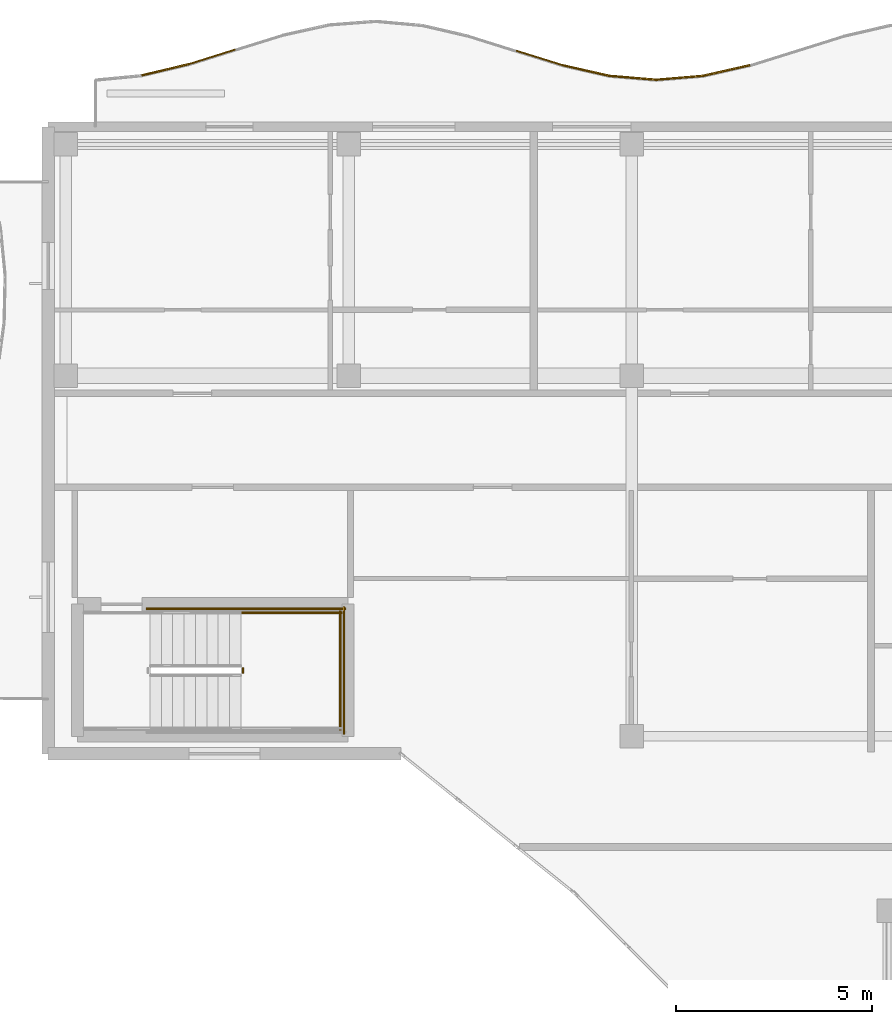
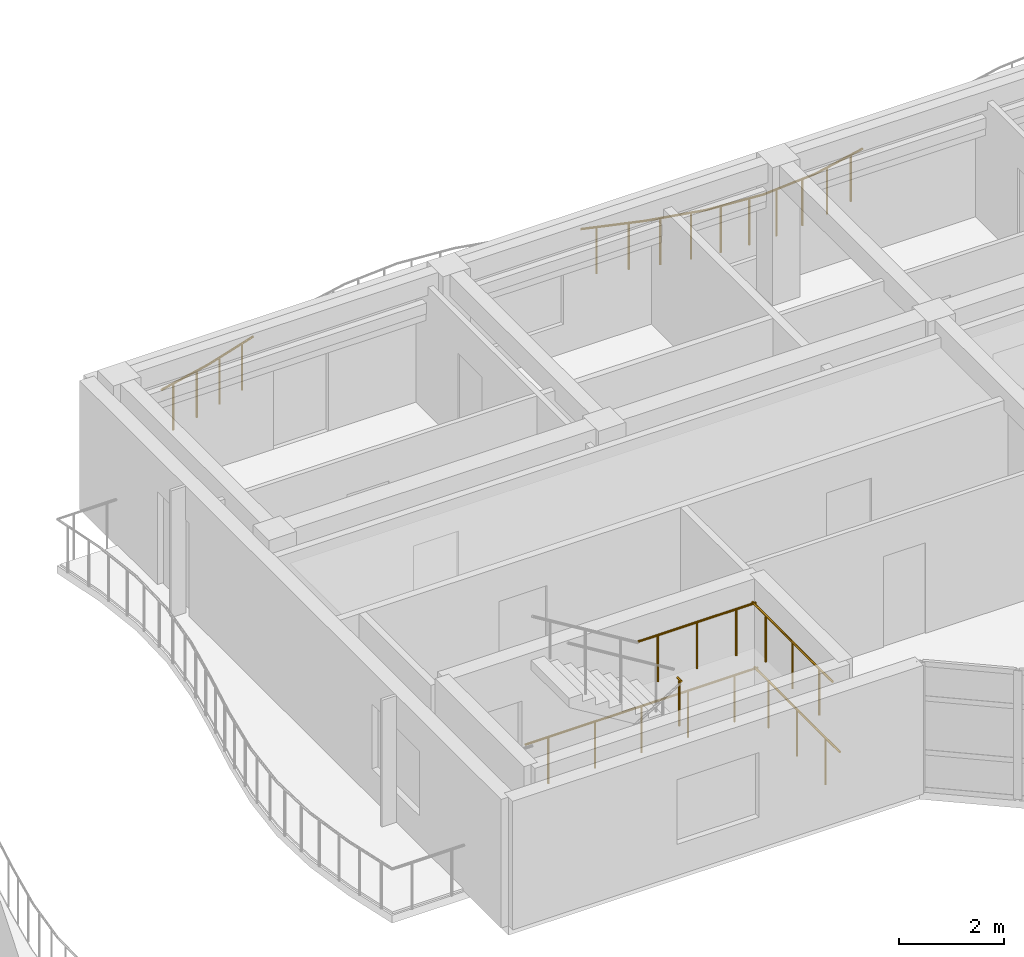
# One storey, part 74 of 76: 12 railings.
"""IFC4 building model written with IfcOpenShell, lengths in metres."""

from ifc_helpers import new_model, si_unit, direction, frame, origin, origin_2d, place, context, subcontext, project, spatial, circle, extrude, material, type_object, element, save


model = new_model("IFC4")

# Units and contexts
model_context = context("Model", 3, precision=1e-05, world=origin(), true_north=direction((0.0, 1.0)))
body_context = subcontext(model_context, "Body", "Model", "MODEL_VIEW")
ifc_project = project(units=[si_unit("LENGTHUNIT", "METRE"), si_unit("AREAUNIT", "SQUARE_METRE"), si_unit("VOLUMEUNIT", "CUBIC_METRE"), si_unit("PLANEANGLEUNIT", "RADIAN"), si_unit("MASSUNIT", "GRAM", prefix="KILO")], contexts=[model_context])

# Site, building, storey
site_placement = place(None, origin())
site = spatial("IfcSite", under=ifc_project, at=site_placement, CompositionType="ELEMENT")
building_placement = place(site_placement, origin())
building = spatial("IfcBuilding", under=site, at=building_placement, Name="Keldmere Railside Commons", CompositionType="ELEMENT")
storey_placement = place(building_placement, frame((0.0, 0.0, 13.760009765625)))
storey = spatial("IfcBuildingStorey", under=building, at=storey_placement, Name="L04", CompositionType="ELEMENT", Elevation=13.760009765625)

# Railings
ifc_material = material(Name="Steel F-24 (S235)", Category="steel")
railing_type_1 = type_object("IfcRailingType", Name="Balcony & Terrace Steel Balustrade 1100", PredefinedType="BALUSTRADE", material=ifc_material)
railing_1_placement = place(storey_placement, frame((149.39306640625, 117.313720703125, 0.0)))
element("IfcRailing", 1, at=railing_1_placement, inside=storey, type_object=railing_type_1, Name="GR-1 GRD-L04-3557", PredefinedType="BALUSTRADE", context=body_context, shape_type="SweptSolid", body=[
    extrude(circle(Radius=0.02392578125, at=origin_2d()), frame((0.0, 0.0, 1.076171875), z_axis=(0.973189475676, 0.23000487915, 0.0), x_axis=(-0.23000487915, 0.973189475676, 0.0)), (0.0, 0.0, 1.0), 1.22607421875),
    extrude(circle(Radius=0.02099609375, at=origin_2d()), frame((0.29833984375, 0.070556640625, 0.0)), (0.0, 0.0, 1.0), 1.048095703125),
    extrude(circle(Radius=0.02099609375, at=origin_2d()), frame((0.894775390625, 0.21142578125, 0.0)), (0.0, 0.0, 1.0), 1.048095703125),
])
railing_2_placement = place(storey_placement, frame((150.586181640625, 117.595703125, 0.0)))
element("IfcRailing", 2, at=railing_2_placement, inside=storey, type_object=railing_type_1, Name="GR-1 GRD-L04-3558", PredefinedType="BALUSTRADE", context=body_context, shape_type="SweptSolid", body=[
    extrude(circle(Radius=0.02392578125, at=origin_2d()), frame((0.0, 0.0, 1.076171875), z_axis=(0.953821294836, 0.30037466191, 0.0), x_axis=(-0.30037466191, 0.953821294836, 0.0)), (0.0, 0.0, 1.0), 1.2509765625),
    extrude(circle(Radius=0.02099609375, at=origin_2d()), frame((0.29833984375, 0.093994140625, 0.0)), (0.0, 0.0, 1.0), 1.048095703125),
    extrude(circle(Radius=0.02099609375, at=origin_2d()), frame((0.894775390625, 0.28173828125, 0.0)), (0.0, 0.0, 1.0), 1.048095703125),
])
railing_3_placement = place(storey_placement, frame((158.93798828125, 117.942138671875, 0.0)))
element("IfcRailing", 3, at=railing_3_placement, inside=storey, type_object=railing_type_1, Name="GR-1 GRD-L04-3565", PredefinedType="BALUSTRADE", context=body_context, shape_type="SweptSolid", body=[
    extrude(circle(Radius=0.02392578125, at=origin_2d()), frame((0.0, 0.0, 1.076171875), z_axis=(0.954657080965, -0.297707671658, 0.0), x_axis=(0.297707671658, 0.954657080965, 0.0)), (0.0, 0.0, 1.0), 1.249755859375),
    extrude(circle(Radius=0.02099609375, at=origin_2d()), frame((0.29833984375, -0.093017578125, 0.0)), (0.0, 0.0, 1.0), 1.048095703125),
    extrude(circle(Radius=0.02099609375, at=origin_2d()), frame((0.894775390625, -0.279052734375, 0.0)), (0.0, 0.0, 1.0), 1.048095703125),
])
railing_4_placement = place(storey_placement, frame((160.131103515625, 117.570068359375, 0.0)))
element("IfcRailing", 4, at=railing_4_placement, inside=storey, type_object=railing_type_1, Name="GR-1 GRD-L04-3566", PredefinedType="BALUSTRADE", context=body_context, shape_type="SweptSolid", body=[
    extrude(circle(Radius=0.02392578125, at=origin_2d()), frame((0.0, 0.0, 1.076171875), z_axis=(0.97511913356, -0.221681472761, 0.0), x_axis=(0.221681472761, 0.97511913356, 0.0)), (0.0, 0.0, 1.0), 1.2236328125),
    extrude(circle(Radius=0.02099609375, at=origin_2d()), frame((0.29833984375, -0.06787109375, 0.0)), (0.0, 0.0, 1.0), 1.048095703125),
    extrude(circle(Radius=0.02099609375, at=origin_2d()), frame((0.894775390625, -0.203369140625, 0.0)), (0.0, 0.0, 1.0), 1.048095703125),
])
railing_5_placement = place(storey_placement, frame((161.32421875, 117.298828125, 0.0)))
element("IfcRailing", 5, at=railing_5_placement, inside=storey, type_object=railing_type_1, Name="GR-1 GRD-L04-3567", PredefinedType="BALUSTRADE", context=body_context, shape_type="SweptSolid", body=[
    extrude(circle(Radius=0.02392578125, at=origin_2d()), frame((0.0, 0.0, 1.076171875), z_axis=(0.996582234977, -0.082606591315, 0.0), x_axis=(0.082606591315, 0.996582234977, 0.0)), (0.0, 0.0, 1.0), 1.197021484375),
    extrude(circle(Radius=0.02099609375, at=origin_2d()), frame((0.29833984375, -0.024658203125, 0.0)), (0.0, 0.0, 1.0), 1.048095703125),
    extrude(circle(Radius=0.02099609375, at=origin_2d()), frame((0.89453125, -0.07421875, 0.0)), (0.0, 0.0, 1.0), 1.048095703125),
])
railing_6_placement = place(storey_placement, frame((162.51708984375, 117.199951171875, 0.0)))
element("IfcRailing", 6, at=railing_6_placement, inside=storey, type_object=railing_type_1, Name="GR-1 GRD-L04-3568", PredefinedType="BALUSTRADE", context=body_context, shape_type="SweptSolid", body=[
    extrude(circle(Radius=0.02392578125, at=origin_2d()), frame((0.0, 0.0, 1.076171875), z_axis=(0.996516163203, 0.083399858963, 0.0), x_axis=(-0.083399858963, 0.996516163203, 0.0)), (0.0, 0.0, 1.0), 1.197265625),
    extrude(circle(Radius=0.02099609375, at=origin_2d()), frame((0.29833984375, 0.02490234375, 0.0)), (0.0, 0.0, 1.0), 1.048095703125),
    extrude(circle(Radius=0.02099609375, at=origin_2d()), frame((0.894775390625, 0.074951171875, 0.0)), (0.0, 0.0, 1.0), 1.048095703125),
])
railing_7_placement = place(storey_placement, frame((163.710205078125, 117.2998046875, 0.0)))
element("IfcRailing", 7, at=railing_7_placement, inside=storey, type_object=railing_type_1, Name="GR-1 GRD-L04-3569", PredefinedType="BALUSTRADE", context=body_context, shape_type="SweptSolid", body=[
    extrude(circle(Radius=0.02392578125, at=origin_2d()), frame((0.0, 0.0, 1.076171875), z_axis=(0.974946339797, 0.222440181885, 0.0), x_axis=(-0.222440181885, 0.974946339797, 0.0)), (0.0, 0.0, 1.0), 1.223876953125),
    extrude(circle(Radius=0.02099609375, at=origin_2d()), frame((0.29833984375, 0.068115234375, 0.0)), (0.0, 0.0, 1.0), 1.048095703125),
    extrude(circle(Radius=0.02099609375, at=origin_2d()), frame((0.894775390625, 0.2041015625, 0.0)), (0.0, 0.0, 1.0), 1.048095703125),
])
railing_type_2 = type_object("IfcRailingType", Name="Stair Well Steel Guardrail 1100", PredefinedType="BALUSTRADE", material=ifc_material)
railing_8_placement = place(storey_placement, frame((151.969970703125, 102.050048828125, 1.60009765625)))
element("IfcRailing", 8, at=railing_8_placement, inside=storey, type_object=railing_type_2, Name="L04 ST-A2 stair guard 2", PredefinedType="BALUSTRADE", context=body_context, shape_type="SweptSolid", body=[
    extrude(circle(Radius=0.02392578125, at=origin_2d()), frame((0.0, 0.0, 1.076171875), z_axis=(0.0, 1.0, 0.0), x_axis=(-1.0, 0.0, 0.0)), (0.0, 0.0, 1.0), 0.14990234375),
    extrude(circle(Radius=0.02099609375, at=origin_2d()), frame((0.0, 0.074951171875, 0.0)), (0.0, 0.0, 1.0), 1.048095703125),
])
railing_9_placement = place(storey_placement, frame((151.919921875, 103.60009765625, 1.60009765625)))
element("IfcRailing", 9, at=railing_9_placement, inside=storey, type_object=railing_type_2, Name="L04 ST-A2 stair guard 4", PredefinedType="BALUSTRADE", context=body_context, shape_type="SweptSolid", body=[
    extrude(circle(Radius=0.02392578125, at=origin_2d()), frame((0.0, 0.0, 1.076171875), z_axis=(1.0, 0.0, 0.0), x_axis=(0.0, 1.0, 0.0)), (0.0, 0.0, 1.0), 2.580078125),
    extrude(circle(Radius=0.02099609375, at=origin_2d()), frame((0.429931640625, 0.0, 0.0)), (0.0, 0.0, 1.0), 1.048095703125),
    extrude(circle(Radius=0.02099609375, at=origin_2d()), frame((1.2900390625, 0.0, 0.0)), (0.0, 0.0, 1.0), 1.048095703125),
    extrude(circle(Radius=0.02099609375, at=origin_2d()), frame((2.150146484375, 0.0, 0.0)), (0.0, 0.0, 1.0), 1.048095703125),
])
railing_10_placement = place(storey_placement, frame((154.449951171875, 100.60009765625, 1.60009765625)))
element("IfcRailing", 10, at=railing_10_placement, inside=storey, type_object=railing_type_2, Name="L04 ST-A2 stair guard 5", PredefinedType="BALUSTRADE", context=body_context, shape_type="SweptSolid", body=[
    extrude(circle(Radius=0.02392578125, at=origin_2d()), frame((0.0, 0.0, 1.076171875), z_axis=(0.0, 1.0, 0.0), x_axis=(-1.0, 0.0, 0.0)), (0.0, 0.0, 1.0), 3.0498046875),
    extrude(circle(Radius=0.02099609375, at=origin_2d()), frame((0.0, 0.50830078125, 0.0)), (0.0, 0.0, 1.0), 1.048095703125),
    extrude(circle(Radius=0.02099609375, at=origin_2d()), frame((0.0, 1.52490234375, 0.0)), (0.0, 0.0, 1.0), 1.048095703125),
    extrude(circle(Radius=0.02099609375, at=origin_2d()), frame((0.0, 2.54150390625, 0.0)), (0.0, 0.0, 1.0), 1.048095703125),
])
railing_11_placement = place(storey_placement, frame((149.5, 103.699951171875, 0.0)))
element("IfcRailing", 11, at=railing_11_placement, inside=storey, type_object=railing_type_2, Name="L04 ST-A2 stair guard 11", PredefinedType="BALUSTRADE", context=body_context, shape_type="SweptSolid", body=[
    extrude(circle(Radius=0.02392578125, at=origin_2d()), frame((0.0, 0.0, 1.076171875), z_axis=(1.0, 0.0, 0.0), x_axis=(0.0, 1.0, 0.0)), (0.0, 0.0, 1.0), 5.10009765625),
    extrude(circle(Radius=0.02099609375, at=origin_2d()), frame((0.510009765625, 0.0, 0.0)), (0.0, 0.0, 1.0), 1.048095703125),
    extrude(circle(Radius=0.02099609375, at=origin_2d()), frame((1.530029296875, 0.0, 0.0)), (0.0, 0.0, 1.0), 1.048095703125),
    extrude(circle(Radius=0.02099609375, at=origin_2d()), frame((2.550048828125, 0.0, 0.0)), (0.0, 0.0, 1.0), 1.048095703125),
    extrude(circle(Radius=0.02099609375, at=origin_2d()), frame((3.570068359375, 0.0, 0.0)), (0.0, 0.0, 1.0), 1.048095703125),
    extrude(circle(Radius=0.02099609375, at=origin_2d()), frame((4.590087890625, 0.0, 0.0)), (0.0, 0.0, 1.0), 1.048095703125),
])
railing_12_placement = place(storey_placement, frame((154.550048828125, 100.5, 0.0)))
element("IfcRailing", 12, at=railing_12_placement, inside=storey, type_object=railing_type_2, Name="L04 ST-A2 stair guard 12", PredefinedType="BALUSTRADE", context=body_context, shape_type="SweptSolid", body=[
    extrude(circle(Radius=0.02392578125, at=origin_2d()), frame((0.0, 0.0, 1.076171875), z_axis=(0.0, 1.0, 0.0), x_axis=(-1.0, 0.0, 0.0)), (0.0, 0.0, 1.0), 3.25),
    extrude(circle(Radius=0.02099609375, at=origin_2d()), frame((0.0, 0.541748046875, 0.0)), (0.0, 0.0, 1.0), 1.048095703125),
    extrude(circle(Radius=0.02099609375, at=origin_2d()), frame((0.0, 1.625, 0.0)), (0.0, 0.0, 1.0), 1.048095703125),
    extrude(circle(Radius=0.02099609375, at=origin_2d()), frame((0.0, 2.708251953125, 0.0)), (0.0, 0.0, 1.0), 1.048095703125),
])

save(model, "model.ifc")
